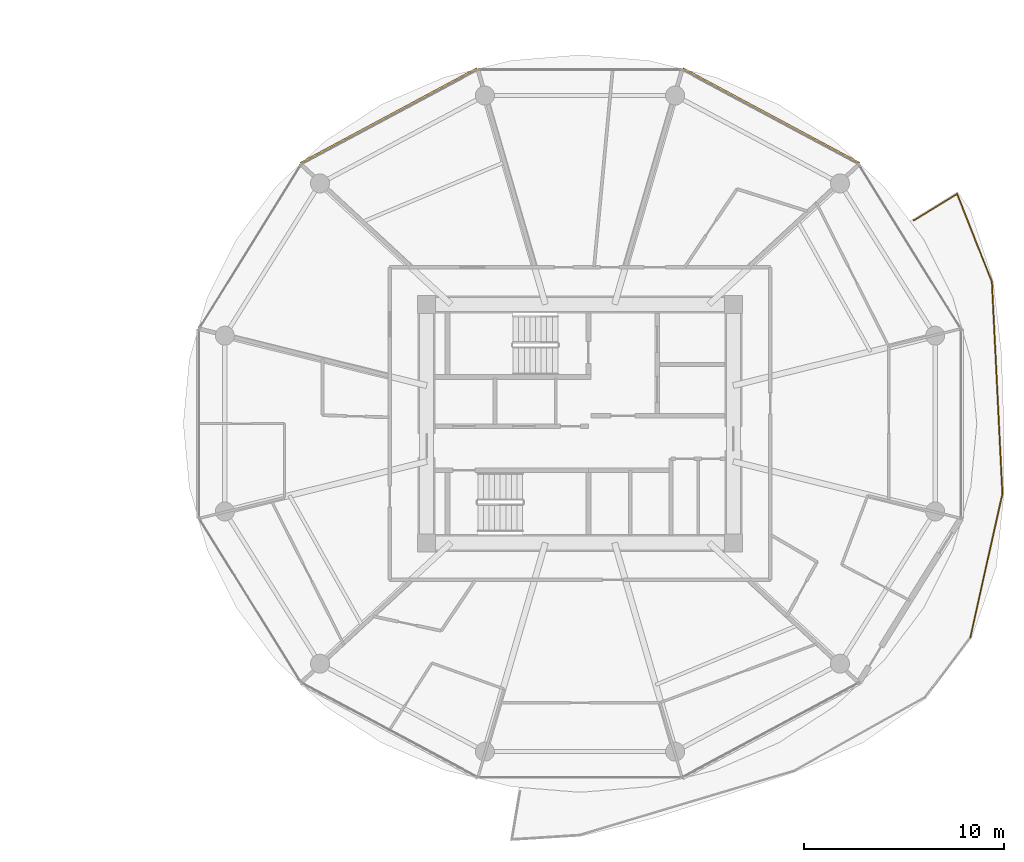
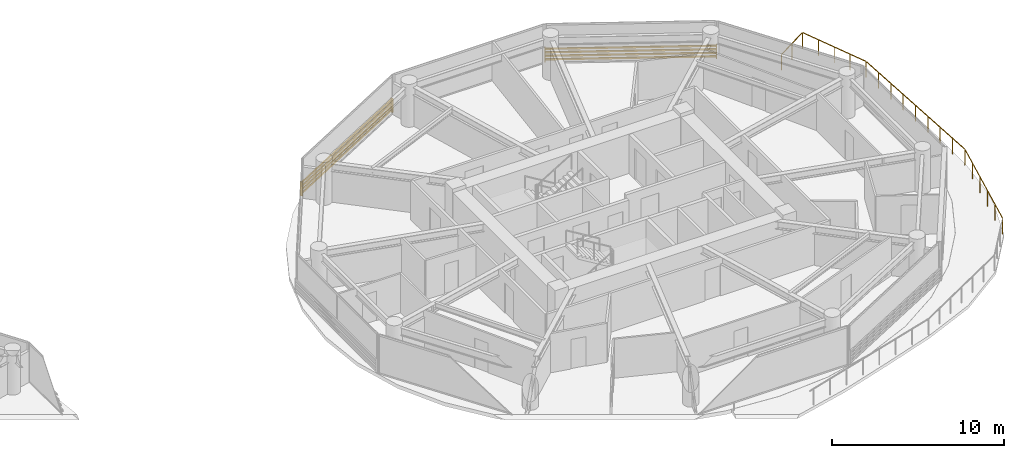
# One storey, part 27 of 27: 2 shading devices, 1 railing.
"""IFC4 building model written with IfcOpenShell, lengths in metres."""

import ifcopenshell
import ifcopenshell.guid

model = None  # the IFC model being written
_history = None  # IfcOwnerHistory: only IFC2X3 demands one
_inside = {}  # id of a spatial element -> (the spatial element, [elements in it])
_under = {}  # id of a project, library or spatial element -> (it, [spatial elements below it])
_declared = {}  # id of a project -> (the project, [libraries it declares])
_typed = {}  # id of a type object -> (the type object, [elements of that type])
_made_of = {}  # id of a material, layer set ... -> (it, [elements and type objects made of it])


def new_model(schema):
    """Start an empty IFC model of exactly this schema.

    Asked for "IFC4X3", IfcOpenShell would pick the latest addendum, in which some entities
    have other attributes; the version numbers below select the first issue.
    IFC2X3 requires an IfcOwnerHistory on every rooted entity: one is made here for all.
    """
    global model, _history
    if schema == "IFC4X3":
        model = ifcopenshell.file(schema_version=(4, 3, 0, 0))
    else:
        model = ifcopenshell.file(schema=schema)
    _inside.clear()
    _under.clear()
    _declared.clear()
    _typed.clear()
    _made_of.clear()
    _history = None
    if model.schema == "IFC2X3":
        org = make("IfcOrganization", Name="unknown")
        user = make(
            "IfcPersonAndOrganization",
            ThePerson=make("IfcPerson", FamilyName="unknown"),
            TheOrganization=org,
        )
        app = make(
            "IfcApplication",
            ApplicationDeveloper=org,
            Version="unknown",
            ApplicationFullName="unknown",
            ApplicationIdentifier="unknown",
        )
        _history = make(
            "IfcOwnerHistory",
            OwningUser=user,
            OwningApplication=app,
            ChangeAction="ADDED",
            CreationDate=0,
        )
    return model


def make(cls, **values):
    """One entity of the class cls with the attributes given. An attribute that is None is left unset."""
    return model.create_entity(
        cls, **{name: value for name, value in values.items() if value is not None}
    )


def rooted(cls, **values):
    """An entity with a GlobalId (a new one), such as an element, a storey or a relation."""
    return make(cls, GlobalId=ifcopenshell.guid.new(), OwnerHistory=_history, **values)


def si_unit(unit_type, name, prefix=None):
    """IfcSIUnit, for example si_unit("LENGTHUNIT", "METRE", prefix="MILLI")."""
    return make("IfcSIUnit", UnitType=unit_type, Prefix=prefix, Name=name)


def assignment(units):
    """IfcUnitAssignment: the units of a project."""
    return None if units is None else make("IfcUnitAssignment", Units=units)


def point(xyz):
    """IfcCartesianPoint."""
    return None if xyz is None else make("IfcCartesianPoint", Coordinates=xyz)


def direction(xyz):
    """IfcDirection."""
    return None if xyz is None else make("IfcDirection", DirectionRatios=xyz)


def frame(location, z_axis=None, x_axis=None):
    """IfcAxis2Placement3D, a coordinate frame: its origin and axes. An axis left out is left unset."""
    return make(
        "IfcAxis2Placement3D",
        Location=point(location),
        Axis=direction(z_axis),
        RefDirection=direction(x_axis),
    )


def frame_2d(location, x_axis=None):
    """IfcAxis2Placement2D, a coordinate frame in the plane: its origin and x axis."""
    return make(
        "IfcAxis2Placement2D", Location=point(location), RefDirection=direction(x_axis)
    )


def origin():
    """The frame at (0, 0, 0) with its axes left unset."""
    return frame((0.0, 0.0, 0.0))


def origin_2d():
    """The frame at (0, 0) in the plane with its x axis left unset."""
    return frame_2d((0.0, 0.0))


def place(relative_to, where):
    """IfcLocalPlacement: puts the frame where relative to a parent placement (None: the world)."""
    return make(
        "IfcLocalPlacement", PlacementRelTo=relative_to, RelativePlacement=where
    )


def context(
    kind, dimensions, precision=None, world=None, true_north=None, identifier=None
):
    """IfcGeometricRepresentationContext, for example the 3D "Model" context."""
    return make(
        "IfcGeometricRepresentationContext",
        ContextIdentifier=identifier,
        ContextType=kind,
        CoordinateSpaceDimension=dimensions,
        Precision=precision,
        WorldCoordinateSystem=world,
        TrueNorth=true_north,
    )


def subcontext(parent, identifier, kind, view, scale=None):
    """IfcGeometricRepresentationSubContext, for example "Body" below "Model"."""
    return make(
        "IfcGeometricRepresentationSubContext",
        ContextIdentifier=identifier,
        ContextType=kind,
        ParentContext=parent,
        TargetScale=scale,
        TargetView=view,
    )


def project(units=None, contexts=None):
    """IfcProject with its units and contexts."""
    return rooted(
        "IfcProject",
        Name="project",
        RepresentationContexts=contexts,
        UnitsInContext=assignment(units),
    )


def spatial(cls, under=None, at=None, **own):
    """A site, building, storey or space (cls), placed at a placement, below another one or the project."""
    s = rooted(cls, ObjectPlacement=at, **own)
    if under is not None:
        _under.setdefault(under.id(), (under, []))[1].append(s)
    return s


def profile(cls, at=None, kind="AREA", **sizes):
    """A parametric profile (cls). Its sizes go by their IFC names, for example OverallWidth=200.0."""
    return make(cls, ProfileType=kind, Position=at, **sizes)


def rectangle(**sizes):
    """IfcRectangleProfileDef."""
    return profile("IfcRectangleProfileDef", **sizes)


def extrude(swept, where, along, depth):
    """IfcExtrudedAreaSolid: the profile swept, set in the frame where, extruded along a direction by depth."""
    return make(
        "IfcExtrudedAreaSolid",
        SweptArea=swept,
        Position=where,
        ExtrudedDirection=direction(along),
        Depth=depth,
    )


def shape(context_of_items, identifier, shape_type, items):
    """IfcShapeRepresentation: the items that make up one representation, for example the "Body"."""
    return make(
        "IfcShapeRepresentation",
        ContextOfItems=context_of_items,
        RepresentationIdentifier=identifier,
        RepresentationType=shape_type,
        Items=items,
    )


def source(mapping_origin, context_of_items, identifier, shape_type, items):
    """IfcRepresentationMap: a shape defined once, which mapped items show again and again."""
    return make(
        "IfcRepresentationMap",
        MappingOrigin=mapping_origin,
        MappedRepresentation=shape(context_of_items, identifier, shape_type, items),
    )


def transform(
    local_origin,
    x_axis=None,
    y_axis=None,
    z_axis=None,
    scale=None,
    scale2=None,
    scale3=None,
    uniform=True,
):
    """IfcCartesianTransformationOperator3D, or its non-uniform kind. x_axis, y_axis, z_axis: its Axis1, 2, 3."""
    if uniform:
        return make(
            "IfcCartesianTransformationOperator3D",
            Axis1=direction(x_axis),
            Axis2=direction(y_axis),
            LocalOrigin=point(local_origin),
            Scale=scale,
            Axis3=direction(z_axis),
        )
    return make(
        "IfcCartesianTransformationOperator3DnonUniform",
        Axis1=direction(x_axis),
        Axis2=direction(y_axis),
        LocalOrigin=point(local_origin),
        Scale=scale,
        Axis3=direction(z_axis),
        Scale2=scale2,
        Scale3=scale3,
    )


def mapped(mapping_source, mapping_target):
    """IfcMappedItem: shows the shape of a source again, moved by a transform."""
    return make(
        "IfcMappedItem", MappingSource=mapping_source, MappingTarget=mapping_target
    )


def material(Name=None, Category=None):
    """IfcMaterial."""
    return make("IfcMaterial", Name=Name, Category=Category)


def made_of(thing, what):
    """Note that an element or type object is made of a material, layer set ...; save() writes the relation."""
    if what is not None:
        _made_of.setdefault(what.id(), (what, []))[1].append(thing)
    return thing


def type_object(cls, material=None, **own):
    """A type object (cls), such as IfcWallType, which elements share."""
    return made_of(rooted(cls, **own), material)


def type_shapes(of_type, sources):
    """Give a type object the sources (RepresentationMaps) that its elements show as mapped items."""
    of_type.RepresentationMaps = sources


def element(
    cls,
    number,
    at=None,
    inside=None,
    cuts=None,
    type_object=None,
    material=None,
    context=None,
    identifier="Body",
    shape_type=None,
    held_by="IfcProductDefinitionShape",
    body=None,
    shapes=None,
    **own,
):
    """One element of the class cls, such as IfcWall. Its Tag is "e" and its number.

    at: its placement. inside: the storey or other place that contains it. cuts: it is an
    opening in that element (IfcRelVoidsElement). A single representation is given by context,
    identifier, shape_type and body (its items); several are given by shapes. held_by: the class
    of the entity that holds the representations. save() writes the other relations.
    """
    e = rooted(cls, Tag="e%d" % number, ObjectPlacement=at, **own)
    if body is not None:
        shapes = [shape(context, identifier, shape_type, body)]
    if shapes is not None:
        e.Representation = make(held_by, Representations=shapes)
    if inside is not None:
        _inside.setdefault(inside.id(), (inside, []))[1].append(e)
    if cuts is not None:
        rooted(
            "IfcRelVoidsElement", RelatingBuildingElement=cuts, RelatedOpeningElement=e
        )
    if type_object is not None:
        _typed.setdefault(type_object.id(), (type_object, []))[1].append(e)
    return made_of(e, material)


def aggregate(whole, parts):
    """IfcRelAggregates: a whole, such as a stair, and the parts it consists of."""
    return rooted("IfcRelAggregates", RelatingObject=whole, RelatedObjects=parts)


def save(model, path):
    """Write the relations noted so far, then the file.

    IfcRelAggregates (storeys below a building ...), IfcRelContainedInSpatialStructure (elements
    in a storey), IfcRelDefinesByType, IfcRelAssociatesMaterial and IfcRelDeclares: one each for
    every whole, place, type object, material and project.
    """
    for whole, parts in _under.values():
        aggregate(whole, parts)
    for where, things in _inside.values():
        rooted(
            "IfcRelContainedInSpatialStructure",
            RelatedElements=things,
            RelatingStructure=where,
        )
    for kind, things in _typed.values():
        rooted("IfcRelDefinesByType", RelatedObjects=things, RelatingType=kind)
    for what, things in _made_of.values():
        rooted("IfcRelAssociatesMaterial", RelatedObjects=things, RelatingMaterial=what)
    for by, libraries in _declared.values():
        rooted("IfcRelDeclares", RelatingContext=by, RelatedDefinitions=libraries)
    model.write(path)


model = new_model("IFC4")

# Units and contexts
model_context = context("Model", 3, precision=1e-05, world=origin(), true_north=direction((0.0, 1.0)))
body_context = subcontext(model_context, "Body", "Model", "MODEL_VIEW")
ifc_project = project(units=[si_unit("LENGTHUNIT", "METRE"), si_unit("AREAUNIT", "SQUARE_METRE"), si_unit("VOLUMEUNIT", "CUBIC_METRE"), si_unit("PLANEANGLEUNIT", "RADIAN"), si_unit("MASSUNIT", "GRAM", prefix="KILO")], contexts=[model_context])

# Site, building, storey
site_placement = place(None, origin())
site = spatial("IfcSite", under=ifc_project, at=site_placement, CompositionType="ELEMENT")
building_placement = place(site_placement, origin())
building = spatial("IfcBuilding", under=site, at=building_placement, Name="Norrkilde Senior Care Towers", CompositionType="ELEMENT")
storey_placement = place(building_placement, frame((0.0, 0.0, 33.800048828125)))
storey = spatial("IfcBuildingStorey", under=building, at=storey_placement, Name="L09", CompositionType="ELEMENT", Elevation=33.800048828125)

# Railing
ifc_material_1 = material(Name="Anodised Aluminium", Category="aluminium")
railing_type = type_object("IfcRailingType", Name="Balcony Swirl Ribbon Guardrail 1150", PredefinedType="GUARDRAIL", material=ifc_material_1)
railing_placement = place(storey_placement, frame((44.6640625, 10.140625, 0.0)))
element("IfcRailing", 1, at=railing_placement, inside=storey, type_object=railing_type, Name="L09 Perimeter Safety Guard 02", PredefinedType="GUARDRAIL", context=body_context, shape_type="SweptSolid", body=[
    extrude(rectangle(XDim=0.048095703125, YDim=0.048095703125, at=origin_2d()), frame((0.0, 0.0, 1.1259765625), z_axis=(0.852135696689, 0.523320890494, 0.0), x_axis=(-0.523320890494, 0.852135696689, 0.0)), (0.0, 0.0, 1.0), 2.48583984375),
    extrude(rectangle(XDim=0.048095703125, YDim=0.048095703125, at=origin_2d()), frame((2.168212890625, 1.2841796875, 1.1259765625), z_axis=(0.368198320742, -0.929747275663, 0.0), x_axis=(0.929747275663, 0.368198320742, 0.0)), (0.0, 0.0, 1.0), 4.641845703125),
    extrude(rectangle(XDim=0.048095703125, YDim=0.048095703125, at=origin_2d()), frame((3.894287109375, -3.1103515625, 1.1259765625), z_axis=(0.049540940092, -0.998772093751, 0.0), x_axis=(0.998772093751, 0.049540940092, 0.0)), (0.0, 0.0, 1.0), 10.508544921875),
    extrude(rectangle(XDim=0.048095703125, YDim=0.048095703125, at=origin_2d()), frame((4.407958984375, -13.686767578125, 1.1259765625), z_axis=(-0.218218020584, -0.975900043802, 0.0), x_axis=(0.975900043802, -0.218218020584, 0.0)), (0.0, 0.0, 1.0), 7.2861328125),
    extrude(rectangle(XDim=0.0419921875, YDim=0.0419921875, at=origin_2d()), origin(), (0.0, 0.0, 1.0), 1.099853515625),
    extrude(rectangle(XDim=0.0419921875, YDim=0.0419921875, at=origin_2d()), frame((1.07666015625, 0.6611328125, 0.0)), (0.0, 0.0, 1.0), 1.099853515625),
    extrude(rectangle(XDim=0.0419921875, YDim=0.0419921875, at=origin_2d()), frame((2.153076171875, 1.322265625, 0.0)), (0.0, 0.0, 1.0), 1.099853515625),
    extrude(rectangle(XDim=0.0419921875, YDim=0.0419921875, at=origin_2d()), frame((2.587890625, 0.224365234375, 0.0)), (0.0, 0.0, 1.0), 1.099853515625),
    extrude(rectangle(XDim=0.0419921875, YDim=0.0419921875, at=origin_2d()), frame((3.022705078125, -0.87353515625, 0.0)), (0.0, 0.0, 1.0), 1.099853515625),
    extrude(rectangle(XDim=0.0419921875, YDim=0.0419921875, at=origin_2d()), frame((3.45751953125, -1.9716796875, 0.0)), (0.0, 0.0, 1.0), 1.099853515625),
    extrude(rectangle(XDim=0.0419921875, YDim=0.0419921875, at=origin_2d()), frame((3.892333984375, -3.069580078125, 0.0)), (0.0, 0.0, 1.0), 1.099853515625),
    extrude(rectangle(XDim=0.0419921875, YDim=0.0419921875, at=origin_2d()), frame((3.9580078125, -4.391845703125, 0.0)), (0.0, 0.0, 1.0), 1.099853515625),
    extrude(rectangle(XDim=0.0419921875, YDim=0.0419921875, at=origin_2d()), frame((4.0234375, -5.7138671875, 0.0)), (0.0, 0.0, 1.0), 1.099853515625),
    extrude(rectangle(XDim=0.0419921875, YDim=0.0419921875, at=origin_2d()), frame((4.089111328125, -7.0361328125, 0.0)), (0.0, 0.0, 1.0), 1.099853515625),
    extrude(rectangle(XDim=0.0419921875, YDim=0.0419921875, at=origin_2d()), frame((4.15478515625, -8.3583984375, 0.0)), (0.0, 0.0, 1.0), 1.099853515625),
    extrude(rectangle(XDim=0.0419921875, YDim=0.0419921875, at=origin_2d()), frame((4.22021484375, -9.680419921875, 0.0)), (0.0, 0.0, 1.0), 1.099853515625),
    extrude(rectangle(XDim=0.0419921875, YDim=0.0419921875, at=origin_2d()), frame((4.285888671875, -11.002685546875, 0.0)), (0.0, 0.0, 1.0), 1.099853515625),
    extrude(rectangle(XDim=0.0419921875, YDim=0.0419921875, at=origin_2d()), frame((4.351318359375, -12.32470703125, 0.0)), (0.0, 0.0, 1.0), 1.099853515625),
    extrude(rectangle(XDim=0.0419921875, YDim=0.0419921875, at=origin_2d()), frame((4.4169921875, -13.64697265625, 0.0)), (0.0, 0.0, 1.0), 1.099853515625),
    extrude(rectangle(XDim=0.0419921875, YDim=0.0419921875, at=origin_2d()), frame((4.09716796875, -15.0771484375, 0.0)), (0.0, 0.0, 1.0), 1.099853515625),
    extrude(rectangle(XDim=0.0419921875, YDim=0.0419921875, at=origin_2d()), frame((3.77734375, -16.507080078125, 0.0)), (0.0, 0.0, 1.0), 1.099853515625),
    extrude(rectangle(XDim=0.0419921875, YDim=0.0419921875, at=origin_2d()), frame((3.457763671875, -17.937255859375, 0.0)), (0.0, 0.0, 1.0), 1.099853515625),
    extrude(rectangle(XDim=0.0419921875, YDim=0.0419921875, at=origin_2d()), frame((3.137939453125, -19.3671875, 0.0)), (0.0, 0.0, 1.0), 1.099853515625),
    extrude(rectangle(XDim=0.0419921875, YDim=0.0419921875, at=origin_2d()), frame((2.818115234375, -20.79736328125, 0.0)), (0.0, 0.0, 1.0), 1.099853515625),
])

# Shading devices
ifc_material_2 = material(Name="Architectural Terracotta", Category="masonry")
shading_device_type = type_object("IfcShadingDeviceType", Name="Horizontal Terracotta Baguette Rack", PredefinedType="USERDEFINED", material=ifc_material_2)
shared_shape = source(origin(), body_context, "Body", "SweptSolid", [
    extrude(rectangle(XDim=0.070068359375, YDim=0.110107421875, at=origin_2d()), frame((0.0, 0.090087890625, 0.125), z_axis=(1.0, 0.0, 0.0), x_axis=(0.0, 1.0, 0.0)), (0.0, 0.0, 1.0), 10.0107421875),
    extrude(rectangle(XDim=0.070068359375, YDim=0.110107421875, at=origin_2d()), frame((0.0, 0.090087890625, 0.375), z_axis=(1.0, 0.0, 0.0), x_axis=(0.0, 1.0, 0.0)), (0.0, 0.0, 1.0), 10.0107421875),
    extrude(rectangle(XDim=0.070068359375, YDim=0.110107421875, at=origin_2d()), frame((0.0, 0.090087890625, 0.625), z_axis=(1.0, 0.0, 0.0), x_axis=(0.0, 1.0, 0.0)), (0.0, 0.0, 1.0), 10.0107421875),
    extrude(rectangle(XDim=0.070068359375, YDim=0.110107421875, at=origin_2d()), frame((0.0, 0.090087890625, 0.875), z_axis=(1.0, 0.0, 0.0), x_axis=(0.0, 1.0, 0.0)), (0.0, 0.0, 1.0), 10.0107421875),
    extrude(rectangle(XDim=0.050048828125, YDim=0.1552734375, at=origin_2d()), frame((0.02490234375, 0.047607421875, 0.0)), (0.0, 0.0, 1.0), 1.0),
    extrude(rectangle(XDim=0.050048828125, YDim=0.1552734375, at=origin_2d()), frame((9.98583984375, 0.047607421875, 0.0)), (0.0, 0.0, 1.0), 1.0),
])
type_shapes(shading_device_type, [shared_shape])
for number, where, z_axis, x_axis, name in (
    (2, (33.093505859375, 17.6572265625, 0.079833984375), (0.0, 0.0, 1.0), (0.881279875134, -0.472612428056, 0.0), "L09 Drum E Terracotta Baguette Screen 01"),
    (3, (14.084228515625, 12.926025390625, 0.079833984375), (0.0, 0.0, 1.0), (0.881279875134, 0.472612428056, 0.0), "L09 Drum E Terracotta Baguette Screen 03"),
):
    element("IfcShadingDevice", number, at=place(storey_placement, frame(where, z_axis=z_axis, x_axis=x_axis)), inside=storey, type_object=shading_device_type, Name=name, ObjectType="BAGUETTE", PredefinedType="USERDEFINED", context=body_context, shape_type="MappedRepresentation", body=[
        mapped(shared_shape, transform((0.0, 0.0, 0.0), x_axis=(1.0, 0.0, 0.0), y_axis=(0.0, 1.0, 0.0), z_axis=(0.0, 0.0, 1.0), scale=1.0)),
    ])

save(model, "model.ifc")
